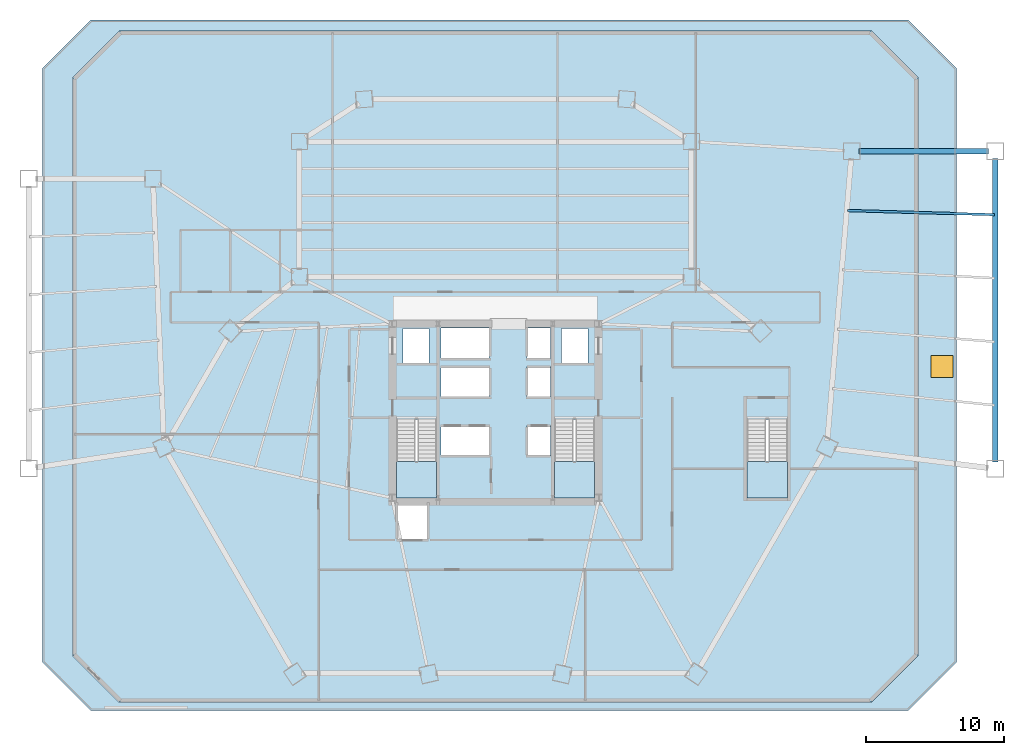
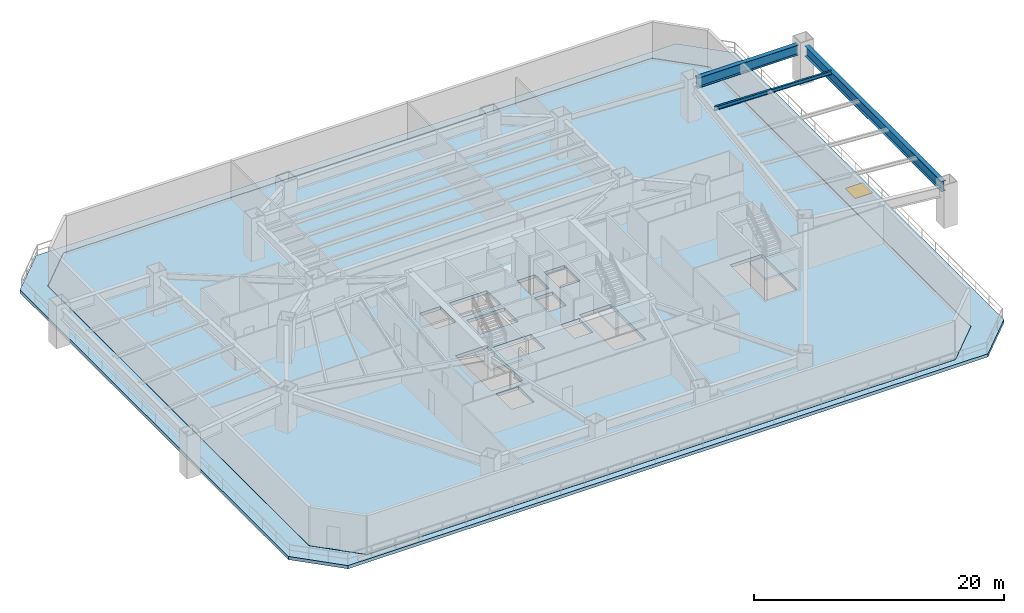
# One storey, part 4 of 12: 5 slabs, 3 beams, 1 window, 1 opening, 3 elements without a shape of their own.
"""IFC4 building model written with IfcOpenShell, lengths in metres."""

from ifc_helpers import new_model, si_unit, direction, frame, origin, origin_2d, place, context, subcontext, project, spatial, polyline, rectangle, i_section, outline, extrude, source, transform, mapped, material, layer, layer_set, material_profile, profile_set, type_object, type_shapes, element, fill, aggregate, save


model = new_model("IFC4")

# Units and contexts
model_context = context("Model", 3, precision=1e-05, world=origin(), true_north=direction((0.0, 1.0)))
body_context = subcontext(model_context, "Body", "Model", "MODEL_VIEW")
ifc_project = project(units=[si_unit("LENGTHUNIT", "METRE"), si_unit("AREAUNIT", "SQUARE_METRE"), si_unit("VOLUMEUNIT", "CUBIC_METRE"), si_unit("PLANEANGLEUNIT", "RADIAN"), si_unit("MASSUNIT", "GRAM", prefix="KILO")], contexts=[model_context])

# Site, building, storey
site_placement = place(None, origin())
site = spatial("IfcSite", under=ifc_project, at=site_placement, CompositionType="ELEMENT")
building_placement = place(site_placement, origin())
building = spatial("IfcBuilding", under=site, at=building_placement, Name="Caelisora Broadcast Tower", CompositionType="ELEMENT")
storey_placement = place(building_placement, frame((0.0, 0.0, 18.89990234375)))
storey = spatial("IfcBuildingStorey", under=building, at=storey_placement, Name="L04", CompositionType="ELEMENT", Elevation=18.89990234375)

# Beams
ifc_material_1 = material(Name="Steel Grade 350 (AS/NZS 3679.2)", Category="steel")
ifc_material_profile_1 = material_profile(ifc_material_1, i_section(OverallWidth=0.39990234375, OverallDepth=1.0, WebThickness=0.01611328125, FlangeThickness=0.028076171875, at=origin_2d()), Name="Steel Grade 350 (AS/NZS 3679.2)")
ifc_profile_set_1 = profile_set([ifc_material_profile_1], Name="Steel Grade 350 (AS/NZS 3679.2)")
beam_type_1 = type_object("IfcBeamType", Name="PG01", PredefinedType="BEAM", material=ifc_profile_set_1)
shared_shape_1 = source(origin(), body_context, "Body", "SweptSolid", [
    extrude(i_section(OverallWidth=0.39990234375, OverallDepth=1.0, WebThickness=0.01611328125, FlangeThickness=0.028076171875, at=origin_2d()), origin(), (0.0, 0.0, 1.0), 9.375),
])
beam_1_placement = place(storey_placement, frame((64.3125, 42.5, 3.25), z_axis=(1.0, 0.0, 0.0), x_axis=(0.0, 1.0, 0.0)))
element("IfcBeam", 1, at=beam_1_placement, inside=storey, type_object=beam_type_1, Name="L04 beam PG01", PredefinedType="BEAM", context=body_context, shape_type="MappedRepresentation", body=[
    mapped(shared_shape_1, transform((0.0, 0.0, 0.0), scale=1.0)),
])
shared_shape_2 = source(origin(), body_context, "Body", "SweptSolid", [
    extrude(i_section(OverallWidth=0.39990234375, OverallDepth=1.0, WebThickness=0.01611328125, FlangeThickness=0.028076171875, at=origin_2d()), origin(), (0.0, 0.0, 1.0), 21.97509765625),
])
type_shapes(beam_type_1, [shared_shape_1, shared_shape_2])
beam_2_placement = place(storey_placement, frame((74.199951171875, 20.012451171875, 3.25), z_axis=(0.0, 1.0, 0.0), x_axis=(-1.0, 0.0, 0.0)))
element("IfcBeam", 2, at=beam_2_placement, inside=storey, type_object=beam_type_1, Name="L04 beam PG01", PredefinedType="BEAM", context=body_context, shape_type="MappedRepresentation", body=[
    mapped(shared_shape_2, transform((0.0, 0.0, 0.0), scale=1.0)),
])
ifc_material_2 = material(Name="Steel Grade 350 (AS/NZS 3679.1)", Category="steel")
ifc_material_profile_2 = material_profile(ifc_material_2, i_section(OverallWidth=0.172119140625, OverallDepth=0.358642578125, WebThickness=0.008056640625, FlangeThickness=0.012939453125, at=origin_2d()), Name="Steel Grade 350 (AS/NZS 3679.1)")
ifc_profile_set_2 = profile_set([ifc_material_profile_2], Name="Steel Grade 350 (AS/NZS 3679.1)")
beam_type_2 = type_object("IfcBeamType", Name="SB02", PredefinedType="JOIST", material=ifc_profile_set_2)
shared_shape_3 = source(origin(), body_context, "Body", "SweptSolid", [
    extrude(i_section(OverallWidth=0.172119140625, OverallDepth=0.358642578125, WebThickness=0.008056640625, FlangeThickness=0.012939453125, at=origin_2d()), origin(), (0.0, 0.0, 1.0), 10.646240234375),
])
type_shapes(beam_type_2, [shared_shape_3])
beam_3_placement = place(storey_placement, frame((63.498046875, 38.203369140625, 3.57080078125), z_axis=(0.999598217206, -0.02834438497, 0.0), x_axis=(0.02834438497, 0.999598217206, 0.0)))
element("IfcBeam", 3, at=beam_3_placement, inside=storey, type_object=beam_type_2, Name="L04 beam SB02", PredefinedType="JOIST", context=body_context, shape_type="MappedRepresentation", body=[
    mapped(shared_shape_3, transform((0.0, 0.0, 0.0), scale=1.0)),
])

# Slab
ifc_material_3 = material(Name="Concrete 40 MPa (AS 3600 N40)", Category="concrete")
ifc_layer_1 = layer(ifc_material_3, 0.320068359375, Name="Concrete 40 MPa (AS 3600 N40)")
ifc_layer_set_1 = layer_set([ifc_layer_1], Name="Concrete 40 MPa (AS 3600 N40)")
slab_type_1 = type_object("IfcSlabType", Name="SL01", PredefinedType="FLOOR", material=ifc_layer_set_1)
slab_1_placement = place(storey_placement, frame((0.0, 0.0, -0.31982421875)))
element("IfcSlab", 4, at=slab_1_placement, inside=storey, type_object=slab_type_1, Name="L04 suspended floor SL01", PredefinedType="FLOOR", context=body_context, shape_type="SweptSolid", body=[
    extrude(outline(polyline([(10.782958984375, 2.60009765625), (7.39990234375, 5.98291015625), (7.39990234375, 47.81689453125), (10.782958984375, 51.199951171875), (65.217041015625, 51.199951171875), (68.60009765625, 47.81689453125), (68.60009765625, 5.98291015625), (65.217041015625, 2.60009765625), (10.782958984375, 2.60009765625)]), holes=[polyline([(30.820068359375, 17.39990234375), (33.739990234375, 17.39990234375), (33.739990234375, 23.080078125), (30.820068359375, 23.080078125), (30.820068359375, 17.39990234375)]), polyline([(42.260009765625, 17.39990234375), (45.179931640625, 17.39990234375), (45.179931640625, 23.080078125), (42.260009765625, 23.080078125), (42.260009765625, 17.39990234375)]), polyline([(56.199951171875, 17.39990234375), (59.159912109375, 17.39990234375), (59.159912109375, 23.080078125), (56.199951171875, 23.080078125), (56.199951171875, 17.39990234375)]), polyline([(42.800048828125, 27.14990234375), (44.699951171875, 27.14990234375), (44.699951171875, 29.64990234375), (42.800048828125, 29.64990234375), (42.800048828125, 27.14990234375)]), polyline([(40.300048828125, 20.429931640625), (42.0, 20.429931640625), (42.0, 22.6298828125), (40.300048828125, 22.6298828125), (40.300048828125, 20.429931640625)]), polyline([(40.300048828125, 24.719970703125), (42.0, 24.719970703125), (42.0, 26.919921875), (40.300048828125, 26.919921875), (40.300048828125, 24.719970703125)]), polyline([(40.300048828125, 27.5), (42.0, 27.5), (42.0, 29.699951171875), (40.300048828125, 29.699951171875), (40.300048828125, 27.5)]), polyline([(34.050048828125, 27.5), (37.550048828125, 27.5), (37.550048828125, 29.699951171875), (34.050048828125, 29.699951171875), (34.050048828125, 27.5)]), polyline([(34.050048828125, 20.429931640625), (37.550048828125, 20.429931640625), (37.550048828125, 22.6298828125), (34.050048828125, 22.6298828125), (34.050048828125, 20.429931640625)]), polyline([(34.050048828125, 24.719970703125), (37.550048828125, 24.719970703125), (37.550048828125, 26.919921875), (34.050048828125, 26.919921875), (34.050048828125, 24.719970703125)]), polyline([(31.300048828125, 27.14990234375), (33.199951171875, 27.14990234375), (33.199951171875, 29.64990234375), (31.300048828125, 29.64990234375), (31.300048828125, 27.14990234375)]), polyline([(30.949951171875, 14.35009765625), (33.050048828125, 14.35009765625), (33.050048828125, 16.85009765625), (30.949951171875, 16.85009765625), (30.949951171875, 14.35009765625)])]), origin(), (0.0, 0.0, 1.0), 0.31982421875),
])

# Stair, slab
stair_type_1 = type_object("IfcStairType", Name="ST-1", PredefinedType="HALF_TURN_STAIR", material=ifc_material_3)
stair_1_placement = place(storey_placement, origin())
stair_1 = element("IfcStair", 5, at=stair_1_placement, inside=storey, type_object=stair_type_1, Name="L04 West Fire-Isolated Tower Stair", PredefinedType="HALF_TURN_STAIR")
ifc_layer_2 = layer(ifc_material_3, 0.199951171875, Name="Concrete 40 MPa (AS 3600 N40)")
ifc_layer_set_2 = layer_set([ifc_layer_2], Name="Concrete 40 MPa (AS 3600 N40)")
slab_type_2 = type_object("IfcSlabType", Name="STL-1", PredefinedType="LANDING", material=ifc_layer_set_2)
slab_2_placement = place(storey_placement, frame((0.0, 0.0, 1.900146484375)))
slab_2 = element("IfcSlab", 6, at=slab_2_placement, type_object=slab_type_2, Name="ST-1 landing 1", PredefinedType="LANDING", context=body_context, shape_type="SweptSolid", body=[
    extrude(outline(polyline([(30.820068359375, 20.02001953125), (30.820068359375, 17.39990234375), (33.739990234375, 17.39990234375), (33.739990234375, 20.02001953125), (30.820068359375, 20.02001953125)])), origin(), (0.0, 0.0, 1.0), 0.199951171875),
])
aggregate(stair_1, [slab_2])

stair_type_2 = type_object("IfcStairType", Name="ST-2", PredefinedType="HALF_TURN_STAIR", material=ifc_material_3)
stair_2_placement = place(storey_placement, origin())
stair_2 = element("IfcStair", 7, at=stair_2_placement, inside=storey, type_object=stair_type_2, Name="L04 East Fire-Isolated Tower Stair", PredefinedType="HALF_TURN_STAIR")
slab_3_placement = place(storey_placement, frame((0.0, 0.0, 1.900146484375)))
slab_3 = element("IfcSlab", 8, at=slab_3_placement, type_object=slab_type_2, Name="ST-2 landing 1", PredefinedType="LANDING", context=body_context, shape_type="SweptSolid", body=[
    extrude(outline(polyline([(42.260009765625, 20.02001953125), (42.260009765625, 17.39990234375), (45.179931640625, 17.39990234375), (45.179931640625, 20.02001953125), (42.260009765625, 20.02001953125)])), origin(), (0.0, 0.0, 1.0), 0.199951171875),
])
aggregate(stair_2, [slab_3])

stair_type_3 = type_object("IfcStairType", Name="ST-3", PredefinedType="HALF_TURN_STAIR", material=ifc_material_3)
stair_3_placement = place(storey_placement, origin())
stair_3 = element("IfcStair", 9, at=stair_3_placement, inside=storey, type_object=stair_type_3, Name="L04 Podium Broadcast Studio Exit Stair", PredefinedType="HALF_TURN_STAIR")
slab_4_placement = place(storey_placement, frame((0.0, 0.0, 1.900146484375)))
slab_4 = element("IfcSlab", 10, at=slab_4_placement, type_object=slab_type_2, Name="ST-3 landing 1", PredefinedType="LANDING", context=body_context, shape_type="SweptSolid", body=[
    extrude(outline(polyline([(56.199951171875, 20.02001953125), (56.199951171875, 17.39990234375), (59.159912109375, 17.39990234375), (59.159912109375, 20.02001953125), (56.199951171875, 20.02001953125)])), origin(), (0.0, 0.0, 1.0), 0.199951171875),
])
aggregate(stair_3, [slab_4])

# Slab, opening, window
ifc_layer_3 = layer(ifc_material_3, 0.320068359375, Name="Concrete 40 MPa (AS 3600 N40)")
ifc_layer_set_3 = layer_set([ifc_layer_3], Name="Concrete 40 MPa (AS 3600 N40)")
slab_type_3 = type_object("IfcSlabType", Name="TR03", PredefinedType="FLOOR", material=ifc_layer_set_3)
slab_5_placement = place(storey_placement, frame((0.0, 0.0, -0.31982421875)))
slab_5 = element("IfcSlab", 11, at=slab_5_placement, inside=storey, type_object=slab_type_3, Name="L04 outdoor terrace slab TR03", PredefinedType="FLOOR", context=body_context, shape_type="SweptSolid", body=[
    extrude(outline(polyline([(5.199951171875, 5.5), (5.199951171875, 48.5), (8.699951171875, 52.0), (67.89990234375, 52.0), (71.39990234375, 48.5), (71.39990234375, 5.5), (67.89990234375, 2.0), (8.699951171875, 2.0), (5.199951171875, 5.5)]), holes=[polyline([(65.22509765625, 2.580078125), (68.6201171875, 5.97509765625), (68.6201171875, 47.824951171875), (65.22509765625, 51.219970703125), (10.77490234375, 51.219970703125), (7.3798828125, 47.824951171875), (7.3798828125, 5.97509765625), (10.77490234375, 2.580078125), (65.22509765625, 2.580078125)])]), origin(), (0.0, 0.0, 1.0), 0.31982421875),
])
opening_placement = place(slab_5_placement, frame((70.324951171875, 26.89990234375, 0.0)))
opening = element("IfcOpeningElement", 12, at=opening_placement, cuts=slab_5, Name="Opening SK01", PredefinedType="OPENING", context=body_context, shape_type="SweptSolid", body=[
    extrude(rectangle(XDim=1.60009765625, YDim=1.60009765625, at=origin_2d()), origin(), (0.0, 0.0, 1.0), 0.31982421875),
])
ifc_material_4 = material(Name="Thermally Broken Laminated Podium Skylight", Category="glass")
window_type = type_object("IfcWindowType", Name="SK01", PartitioningType="SINGLE_PANEL", PredefinedType="SKYLIGHT", material=ifc_material_4)
window_placement = place(opening_placement, frame((0.0, 0.0, 0.269775390625)))
window = element("IfcWindow", 13, at=window_placement, inside=storey, type_object=window_type, Name="L04 podium terrace skylight SK01", OverallHeight=1.60009765625, OverallWidth=1.60009765625, PartitioningType="SINGLE_PANEL", PredefinedType="SKYLIGHT", context=body_context, shape_type="SweptSolid", body=[
    extrude(rectangle(XDim=1.60009765625, YDim=1.60009765625, at=origin_2d()), origin(), (0.0, 0.0, 1.0), 0.050048828125),
])
fill(opening, window)

save(model, "model.ifc")
